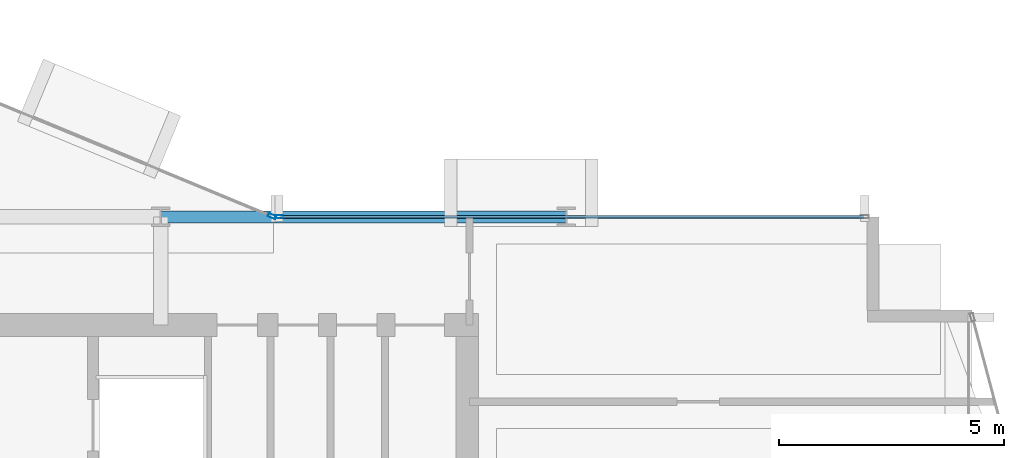
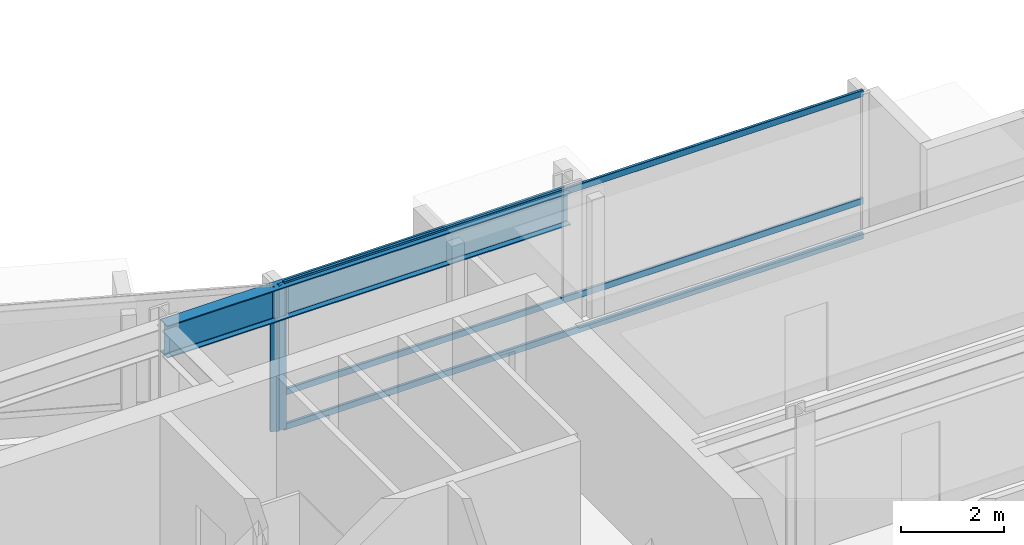
# One storey, part 13 of 29: 5 members, 1 beam, 2 elements without a shape of their own.
"""IFC4 building model written with IfcOpenShell, lengths in metres."""

import ifcopenshell
import ifcopenshell.guid

model = None  # the IFC model being written
_history = None  # IfcOwnerHistory: only IFC2X3 demands one
_inside = {}  # id of a spatial element -> (the spatial element, [elements in it])
_under = {}  # id of a project, library or spatial element -> (it, [spatial elements below it])
_declared = {}  # id of a project -> (the project, [libraries it declares])
_typed = {}  # id of a type object -> (the type object, [elements of that type])
_made_of = {}  # id of a material, layer set ... -> (it, [elements and type objects made of it])


def new_model(schema):
    """Start an empty IFC model of exactly this schema.

    Asked for "IFC4X3", IfcOpenShell would pick the latest addendum, in which some entities
    have other attributes; the version numbers below select the first issue.
    IFC2X3 requires an IfcOwnerHistory on every rooted entity: one is made here for all.
    """
    global model, _history
    if schema == "IFC4X3":
        model = ifcopenshell.file(schema_version=(4, 3, 0, 0))
    else:
        model = ifcopenshell.file(schema=schema)
    _inside.clear()
    _under.clear()
    _declared.clear()
    _typed.clear()
    _made_of.clear()
    _history = None
    if model.schema == "IFC2X3":
        org = make("IfcOrganization", Name="unknown")
        user = make(
            "IfcPersonAndOrganization",
            ThePerson=make("IfcPerson", FamilyName="unknown"),
            TheOrganization=org,
        )
        app = make(
            "IfcApplication",
            ApplicationDeveloper=org,
            Version="unknown",
            ApplicationFullName="unknown",
            ApplicationIdentifier="unknown",
        )
        _history = make(
            "IfcOwnerHistory",
            OwningUser=user,
            OwningApplication=app,
            ChangeAction="ADDED",
            CreationDate=0,
        )
    return model


def make(cls, **values):
    """One entity of the class cls with the attributes given. An attribute that is None is left unset."""
    return model.create_entity(
        cls, **{name: value for name, value in values.items() if value is not None}
    )


def rooted(cls, **values):
    """An entity with a GlobalId (a new one), such as an element, a storey or a relation."""
    return make(cls, GlobalId=ifcopenshell.guid.new(), OwnerHistory=_history, **values)


def si_unit(unit_type, name, prefix=None):
    """IfcSIUnit, for example si_unit("LENGTHUNIT", "METRE", prefix="MILLI")."""
    return make("IfcSIUnit", UnitType=unit_type, Prefix=prefix, Name=name)


def assignment(units):
    """IfcUnitAssignment: the units of a project."""
    return None if units is None else make("IfcUnitAssignment", Units=units)


def point(xyz):
    """IfcCartesianPoint."""
    return None if xyz is None else make("IfcCartesianPoint", Coordinates=xyz)


def direction(xyz):
    """IfcDirection."""
    return None if xyz is None else make("IfcDirection", DirectionRatios=xyz)


def frame(location, z_axis=None, x_axis=None):
    """IfcAxis2Placement3D, a coordinate frame: its origin and axes. An axis left out is left unset."""
    return make(
        "IfcAxis2Placement3D",
        Location=point(location),
        Axis=direction(z_axis),
        RefDirection=direction(x_axis),
    )


def frame_2d(location, x_axis=None):
    """IfcAxis2Placement2D, a coordinate frame in the plane: its origin and x axis."""
    return make(
        "IfcAxis2Placement2D", Location=point(location), RefDirection=direction(x_axis)
    )


def origin():
    """The frame at (0, 0, 0) with its axes left unset."""
    return frame((0.0, 0.0, 0.0))


def origin_2d():
    """The frame at (0, 0) in the plane with its x axis left unset."""
    return frame_2d((0.0, 0.0))


def place(relative_to, where):
    """IfcLocalPlacement: puts the frame where relative to a parent placement (None: the world)."""
    return make(
        "IfcLocalPlacement", PlacementRelTo=relative_to, RelativePlacement=where
    )


def context(
    kind, dimensions, precision=None, world=None, true_north=None, identifier=None
):
    """IfcGeometricRepresentationContext, for example the 3D "Model" context."""
    return make(
        "IfcGeometricRepresentationContext",
        ContextIdentifier=identifier,
        ContextType=kind,
        CoordinateSpaceDimension=dimensions,
        Precision=precision,
        WorldCoordinateSystem=world,
        TrueNorth=true_north,
    )


def subcontext(parent, identifier, kind, view, scale=None):
    """IfcGeometricRepresentationSubContext, for example "Body" below "Model"."""
    return make(
        "IfcGeometricRepresentationSubContext",
        ContextIdentifier=identifier,
        ContextType=kind,
        ParentContext=parent,
        TargetScale=scale,
        TargetView=view,
    )


def project(units=None, contexts=None):
    """IfcProject with its units and contexts."""
    return rooted(
        "IfcProject",
        Name="project",
        RepresentationContexts=contexts,
        UnitsInContext=assignment(units),
    )


def spatial(cls, under=None, at=None, **own):
    """A site, building, storey or space (cls), placed at a placement, below another one or the project."""
    s = rooted(cls, ObjectPlacement=at, **own)
    if under is not None:
        _under.setdefault(under.id(), (under, []))[1].append(s)
    return s


def profile(cls, at=None, kind="AREA", **sizes):
    """A parametric profile (cls). Its sizes go by their IFC names, for example OverallWidth=200.0."""
    return make(cls, ProfileType=kind, Position=at, **sizes)


def hollow_rectangle(**sizes):
    """IfcRectangleHollowProfileDef."""
    return profile("IfcRectangleHollowProfileDef", **sizes)


def i_section(**sizes):
    """IfcIShapeProfileDef."""
    return profile("IfcIShapeProfileDef", **sizes)


def extrude(swept, where, along, depth):
    """IfcExtrudedAreaSolid: the profile swept, set in the frame where, extruded along a direction by depth."""
    return make(
        "IfcExtrudedAreaSolid",
        SweptArea=swept,
        Position=where,
        ExtrudedDirection=direction(along),
        Depth=depth,
    )


def shape(context_of_items, identifier, shape_type, items):
    """IfcShapeRepresentation: the items that make up one representation, for example the "Body"."""
    return make(
        "IfcShapeRepresentation",
        ContextOfItems=context_of_items,
        RepresentationIdentifier=identifier,
        RepresentationType=shape_type,
        Items=items,
    )


def material(Name=None, Category=None):
    """IfcMaterial."""
    return make("IfcMaterial", Name=Name, Category=Category)


def layer(
    of_material, thickness, ventilated=None, Name=None, Category=None, Priority=None
):
    """IfcMaterialLayer: one layer of a wall or slab, of a material (None: an air gap)."""
    return make(
        "IfcMaterialLayer",
        Material=of_material,
        LayerThickness=thickness,
        IsVentilated=ventilated,
        Name=Name,
        Category=Category,
        Priority=Priority,
    )


def layer_set(layers, Name=None):
    """IfcMaterialLayerSet."""
    return make("IfcMaterialLayerSet", MaterialLayers=layers, LayerSetName=Name)


def material_profile(
    of_material, cross_section, Name=None, Category=None, Priority=None
):
    """IfcMaterialProfile: a cross section and its material."""
    return make(
        "IfcMaterialProfile",
        Name=Name,
        Material=of_material,
        Profile=cross_section,
        Priority=Priority,
        Category=Category,
    )


def profile_set(profiles, Name=None, composite=None):
    """IfcMaterialProfileSet."""
    return make(
        "IfcMaterialProfileSet",
        Name=Name,
        MaterialProfiles=profiles,
        CompositeProfile=composite,
    )


def made_of(thing, what):
    """Note that an element or type object is made of a material, layer set ...; save() writes the relation."""
    if what is not None:
        _made_of.setdefault(what.id(), (what, []))[1].append(thing)
    return thing


def type_object(cls, material=None, **own):
    """A type object (cls), such as IfcWallType, which elements share."""
    return made_of(rooted(cls, **own), material)


def element(
    cls,
    number,
    at=None,
    inside=None,
    cuts=None,
    type_object=None,
    material=None,
    context=None,
    identifier="Body",
    shape_type=None,
    held_by="IfcProductDefinitionShape",
    body=None,
    shapes=None,
    **own,
):
    """One element of the class cls, such as IfcWall. Its Tag is "e" and its number.

    at: its placement. inside: the storey or other place that contains it. cuts: it is an
    opening in that element (IfcRelVoidsElement). A single representation is given by context,
    identifier, shape_type and body (its items); several are given by shapes. held_by: the class
    of the entity that holds the representations. save() writes the other relations.
    """
    e = rooted(cls, Tag="e%d" % number, ObjectPlacement=at, **own)
    if body is not None:
        shapes = [shape(context, identifier, shape_type, body)]
    if shapes is not None:
        e.Representation = make(held_by, Representations=shapes)
    if inside is not None:
        _inside.setdefault(inside.id(), (inside, []))[1].append(e)
    if cuts is not None:
        rooted(
            "IfcRelVoidsElement", RelatingBuildingElement=cuts, RelatedOpeningElement=e
        )
    if type_object is not None:
        _typed.setdefault(type_object.id(), (type_object, []))[1].append(e)
    return made_of(e, material)


def aggregate(whole, parts):
    """IfcRelAggregates: a whole, such as a stair, and the parts it consists of."""
    return rooted("IfcRelAggregates", RelatingObject=whole, RelatedObjects=parts)


def save(model, path):
    """Write the relations noted so far, then the file.

    IfcRelAggregates (storeys below a building ...), IfcRelContainedInSpatialStructure (elements
    in a storey), IfcRelDefinesByType, IfcRelAssociatesMaterial and IfcRelDeclares: one each for
    every whole, place, type object, material and project.
    """
    for whole, parts in _under.values():
        aggregate(whole, parts)
    for where, things in _inside.values():
        rooted(
            "IfcRelContainedInSpatialStructure",
            RelatedElements=things,
            RelatingStructure=where,
        )
    for kind, things in _typed.values():
        rooted("IfcRelDefinesByType", RelatedObjects=things, RelatingType=kind)
    for what, things in _made_of.values():
        rooted("IfcRelAssociatesMaterial", RelatedObjects=things, RelatingMaterial=what)
    for by, libraries in _declared.values():
        rooted("IfcRelDeclares", RelatingContext=by, RelatedDefinitions=libraries)
    model.write(path)


model = new_model("IFC4")

# Units and contexts
model_context = context("Model", 3, precision=1e-05, world=origin(), true_north=direction((0.0, 1.0)))
body_context = subcontext(model_context, "Body", "Model", "MODEL_VIEW")
ifc_project = project(units=[si_unit("LENGTHUNIT", "METRE"), si_unit("AREAUNIT", "SQUARE_METRE"), si_unit("VOLUMEUNIT", "CUBIC_METRE"), si_unit("PLANEANGLEUNIT", "RADIAN"), si_unit("MASSUNIT", "GRAM", prefix="KILO")], contexts=[model_context])

# Site, building, storey
site_placement = place(None, origin())
site = spatial("IfcSite", under=ifc_project, at=site_placement, CompositionType="ELEMENT")
building_placement = place(site_placement, origin())
building = spatial("IfcBuilding", under=site, at=building_placement, Name="Solvaryn Broadcast Tower", CompositionType="ELEMENT")
storey_placement = place(building_placement, frame((0.0, 0.0, 147.0)))
storey = spatial("IfcBuildingStorey", under=building, at=storey_placement, Name="L36", CompositionType="ELEMENT", Elevation=147.0)

# Beam
ifc_material_1 = material(Name="Steel ASTM A992 Grade 50", Category="steel")
ifc_material_profile_1 = material_profile(ifc_material_1, i_section(OverallWidth=0.26708984375, OverallDepth=0.76611328125, WebThickness=0.014892578125, FlangeThickness=0.023681640625, FilletRadius=0.01806640625, at=origin_2d()))
ifc_profile_set_1 = profile_set([ifc_material_profile_1], Name="Steel ASTM A992 Grade 50")
beam_type = type_object("IfcBeamType", Name="BM-SP2-W30X124", PredefinedType="USERDEFINED", material=ifc_profile_set_1)
beam_placement = place(storey_placement, frame((36.0, 27.0, 3.037109375), z_axis=(1.0, 0.0, 0.0), x_axis=(0.0, 1.0, 0.0)))
element("IfcBeam", 1, at=beam_placement, inside=storey, type_object=beam_type, Name="L36 Spandrel Beam X (36-45 @ Y=27)", ObjectType="SPANDREL", PredefinedType="USERDEFINED", context=body_context, shape_type="SweptSolid", body=[
    extrude(i_section(OverallWidth=0.26708984375, OverallDepth=0.76611328125, WebThickness=0.014892578125, FlangeThickness=0.023681640625, FilletRadius=0.01806640625, at=origin_2d()), origin(), (0.0, 0.0, 1.0), 9.0),
])

# Curtain wall, member
ifc_material_2 = material(Name="Aluminium and Terracotta Unitised Curtain Wall", Category="masonry")
ifc_layer = layer(ifc_material_2, 0.199951171875)
ifc_layer_set = layer_set([ifc_layer], Name="CW-SYS2-LOWMID")
curtain_wall_type = type_object("IfcCurtainWallType", Name="CW-SYS2-LOWMID", PredefinedType="NOTDEFINED", material=ifc_layer_set)
curtain_wall_1_placement = place(storey_placement, origin())
curtain_wall_1 = element("IfcCurtainWall", 2, at=curtain_wall_1_placement, inside=storey, type_object=curtain_wall_type, Name="L36 Curtain Wall CN1", PredefinedType="NOTDEFINED")
ifc_material_3 = material(Name="Anodised Aluminium 6063-T6", Category="aluminium")
ifc_material_profile_2 = material_profile(ifc_material_3, hollow_rectangle(XDim=0.074951171875, YDim=0.179931640625, WallThickness=0.00390625, InnerFilletRadius=0.00390625, OuterFilletRadius=0.008056640625, at=origin_2d()))
ifc_profile_set_2 = profile_set([ifc_material_profile_2], Name="Anodised Aluminium 6063-T6")
member_type_1 = type_object("IfcMemberType", Name="CW-MUL-180", PredefinedType="MULLION", material=ifc_profile_set_2)
member_1_placement = place(storey_placement, frame((38.47216796875, 27.011474609375, 0.0), z_axis=(0.0, 0.0, 1.0), x_axis=(-0.382646127145, -0.923894983957, 0.0)))
member_1 = element("IfcMember", 3, at=member_1_placement, type_object=member_type_1, Name="CWS2 mullion 1", PredefinedType="MULLION", context=body_context, shape_type="SweptSolid", body=[
    extrude(hollow_rectangle(XDim=0.074951171875, YDim=0.179931640625, WallThickness=0.00390625, InnerFilletRadius=0.00390625, OuterFilletRadius=0.008056640625, at=origin_2d()), origin(), (0.0, 0.0, 1.0), 3.419921875),
])
aggregate(curtain_wall_1, [member_1])

# Curtain wall, members
curtain_wall_2_placement = place(storey_placement, origin())
curtain_wall_2 = element("IfcCurtainWall", 4, at=curtain_wall_2_placement, inside=storey, type_object=curtain_wall_type, Name="L36 Curtain Wall IH", PredefinedType="NOTDEFINED")
member_2_placement = place(storey_placement, frame((38.6298828125, 27.0, 0.0), z_axis=(0.0, 0.0, 1.0), x_axis=(0.0, 1.0, 0.0)))
member_2 = element("IfcMember", 5, at=member_2_placement, type_object=member_type_1, Name="CWS2 mullion 1", PredefinedType="MULLION", context=body_context, shape_type="SweptSolid", body=[
    extrude(hollow_rectangle(XDim=0.074951171875, YDim=0.179931640625, WallThickness=0.00390625, InnerFilletRadius=0.00390625, OuterFilletRadius=0.008056640625, at=origin_2d()), origin(), (0.0, 0.0, 1.0), 3.419921875),
])
ifc_material_4 = material(Name="Anodised Aluminium 6063-T6", Category="aluminium")
ifc_material_profile_3 = material_profile(ifc_material_4, hollow_rectangle(XDim=0.06494140625, YDim=0.14990234375, WallThickness=0.00390625, InnerFilletRadius=0.00390625, OuterFilletRadius=0.008056640625, at=origin_2d()))
ifc_profile_set_3 = profile_set([ifc_material_profile_3], Name="Anodised Aluminium 6063-T6")
member_type_2 = type_object("IfcMemberType", Name="CW-TRN-150", PredefinedType="USERDEFINED", material=ifc_profile_set_3)
member_3_placement = place(storey_placement, frame((38.659912109375, 27.0, 0.030029296875), z_axis=(1.0, 0.0, 0.0), x_axis=(0.0, 1.0, 0.0)))
member_3 = element("IfcMember", 6, at=member_3_placement, type_object=member_type_2, Name="CWS2 transom 1.1", ObjectType="TRANSOM", PredefinedType="USERDEFINED", context=body_context, shape_type="SweptSolid", body=[
    extrude(hollow_rectangle(XDim=0.06494140625, YDim=0.14990234375, WallThickness=0.00390625, InnerFilletRadius=0.00390625, OuterFilletRadius=0.008056640625, at=origin_2d()), origin(), (0.0, 0.0, 1.0), 12.93017578125),
])
member_4_placement = place(storey_placement, frame((38.659912109375, 27.0, 0.85009765625), z_axis=(1.0, 0.0, 0.0), x_axis=(0.0, 1.0, 0.0)))
member_4 = element("IfcMember", 7, at=member_4_placement, type_object=member_type_2, Name="CWS2 transom 1.2", ObjectType="TRANSOM", PredefinedType="USERDEFINED", context=body_context, shape_type="SweptSolid", body=[
    extrude(hollow_rectangle(XDim=0.06494140625, YDim=0.14990234375, WallThickness=0.00390625, InnerFilletRadius=0.00390625, OuterFilletRadius=0.008056640625, at=origin_2d()), origin(), (0.0, 0.0, 1.0), 12.93017578125),
])
member_5_placement = place(storey_placement, frame((38.659912109375, 27.0, 3.389892578125), z_axis=(1.0, 0.0, 0.0), x_axis=(0.0, 1.0, 0.0)))
member_5 = element("IfcMember", 8, at=member_5_placement, type_object=member_type_2, Name="CWS2 transom 1.3", ObjectType="TRANSOM", PredefinedType="USERDEFINED", context=body_context, shape_type="SweptSolid", body=[
    extrude(hollow_rectangle(XDim=0.06494140625, YDim=0.14990234375, WallThickness=0.00390625, InnerFilletRadius=0.00390625, OuterFilletRadius=0.008056640625, at=origin_2d()), origin(), (0.0, 0.0, 1.0), 12.93017578125),
])
aggregate(curtain_wall_2, [member_2, member_3, member_4, member_5])

save(model, "model.ifc")
